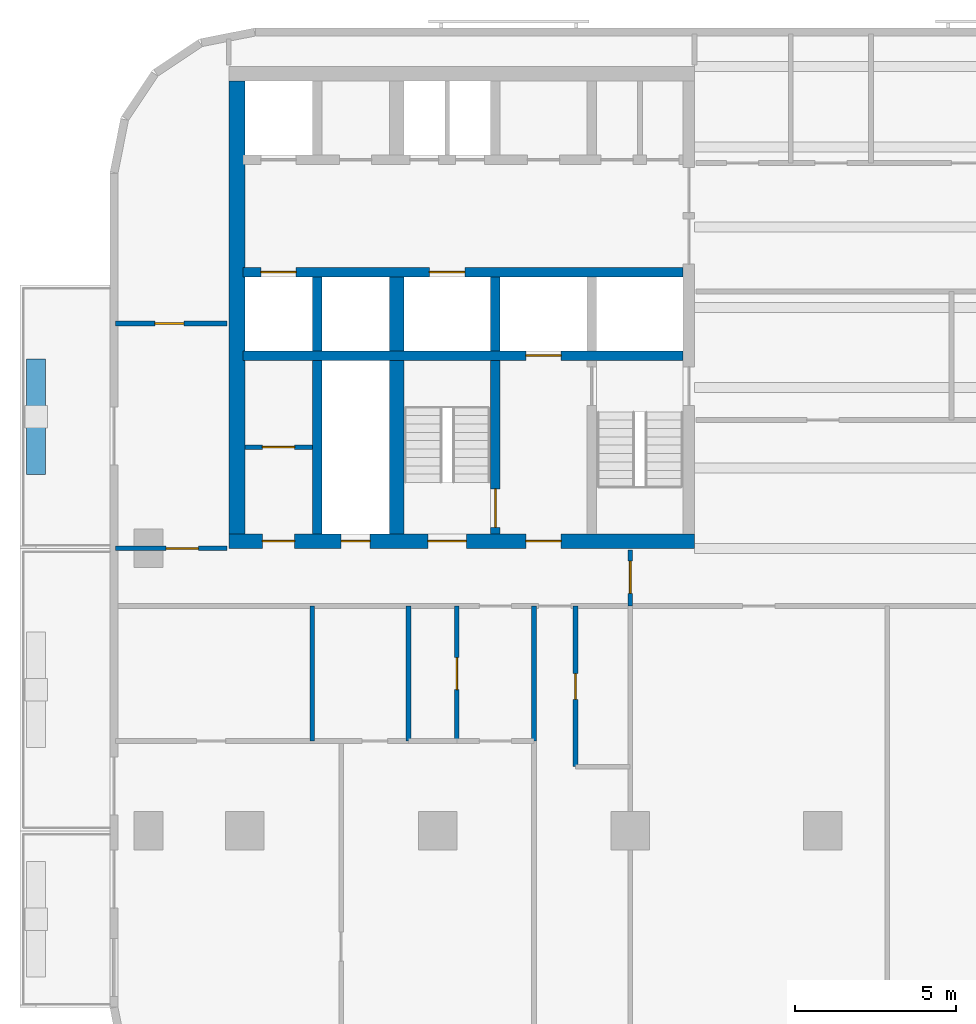
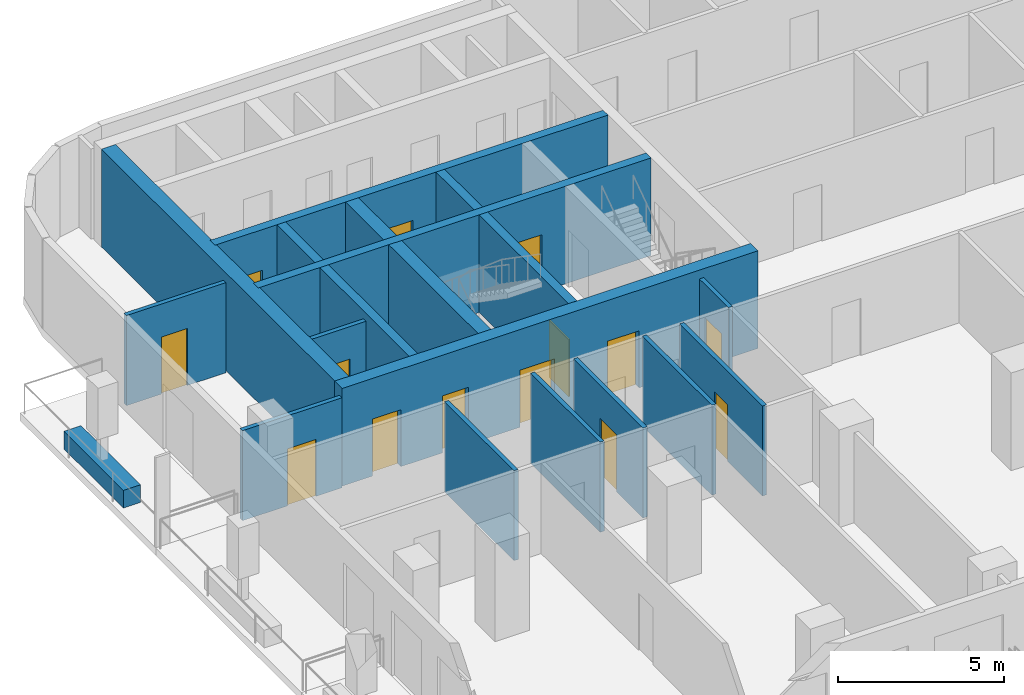
# One storey, part 3 of 11: 20 walls, 14 doors, 14 openings.
"""IFC4 building model written with IfcOpenShell, lengths in metres."""

from ifc_helpers import new_model, si_unit, direction, frame, frame_2d, origin, place, context, subcontext, project, spatial, rectangle, extrude, material, layer, layer_set, type_object, element, fill, save


model = new_model("IFC4")

# Units and contexts
model_context = context("Model", 3, precision=1e-05, world=origin(), true_north=direction((0.0, 1.0)))
body_context = subcontext(model_context, "Body", "Model", "MODEL_VIEW")
ifc_project = project(units=[si_unit("LENGTHUNIT", "METRE"), si_unit("AREAUNIT", "SQUARE_METRE"), si_unit("VOLUMEUNIT", "CUBIC_METRE"), si_unit("PLANEANGLEUNIT", "RADIAN"), si_unit("MASSUNIT", "GRAM", prefix="KILO")], contexts=[model_context])

# Site, building, storey
site_placement = place(None, origin())
site = spatial("IfcSite", under=ifc_project, at=site_placement, CompositionType="ELEMENT")
building_placement = place(site_placement, origin())
building = spatial("IfcBuilding", under=site, at=building_placement, Name="Torana Hotel and Residences", CompositionType="ELEMENT")
storey_placement = place(building_placement, frame((0.0, 0.0, 152.39990234375)))
storey = spatial("IfcBuildingStorey", under=building, at=storey_placement, Name="L39", CompositionType="ELEMENT", Elevation=152.39990234375)

# Wall, openings, doors
ifc_material_1 = material(Name="Concrete C70/85", Category="concrete")
ifc_layer_1 = layer(ifc_material_1, 0.300048828125)
ifc_layer_set_1 = layer_set([ifc_layer_1], Name="CORE WALL 300 C70/85")
wall_type_1 = type_object("IfcWallType", Name="CORE WALL 300 C70/85", PredefinedType="SHEAR", material=ifc_layer_set_1)
wall_1_placement = place(storey_placement, frame((-24.050048828125, -6.39990234375, 0.0), z_axis=(0.0, 0.0, 1.0), x_axis=(1.0, 0.0, 0.0)))
wall_1 = element("IfcWall", 1, at=wall_1_placement, inside=storey, type_object=wall_type_1, Name="Core wall W row-S", PredefinedType="SHEAR", context=body_context, shape_type="SweptSolid", body=[
    extrude(rectangle(XDim=13.699951171875, YDim=0.300048828125, at=frame_2d((6.85009765625, 0.0))), origin(), (0.0, 0.0, 1.0), 3.60009765625),
])
opening_1_placement = place(wall_1_placement, frame((0.550048828125, 0.0, 0.0)))
opening_1 = element("IfcOpeningElement", 2, at=opening_1_placement, cuts=wall_1, Name="Opening LD", PredefinedType="OPENING", context=body_context, shape_type="SweptSolid", body=[
    extrude(rectangle(XDim=1.10009765625, YDim=2.10009765625, at=frame_2d((0.550048828125, 1.050048828125))), frame((0.0, 0.159912109375, 0.0), z_axis=(0.0, -1.0, 0.0), x_axis=(1.0, 0.0, 0.0)), (0.0, 0.0, 1.0), 0.320068359375),
])
opening_2_placement = place(wall_1_placement, frame((5.800048828125, 0.0, 0.0)))
opening_2 = element("IfcOpeningElement", 3, at=opening_2_placement, cuts=wall_1, Name="Opening LD", PredefinedType="OPENING", context=body_context, shape_type="SweptSolid", body=[
    extrude(rectangle(XDim=1.10009765625, YDim=2.10009765625, at=frame_2d((0.550048828125, 1.050048828125))), frame((0.0, 0.159912109375, 0.0), z_axis=(0.0, -1.0, 0.0), x_axis=(1.0, 0.0, 0.0)), (0.0, 0.0, 1.0), 0.320068359375),
])
ifc_material_2 = material(Name="Stainless steel 316", Category="steel")
door_type_1 = type_object("IfcDoorType", Name="LIFT LANDING DOOR LD 1100x2100", OperationType="DOUBLE_DOOR_SLIDING", PredefinedType="USERDEFINED", material=ifc_material_2)
door_1_placement = place(opening_1_placement, origin())
door_1 = element("IfcDoor", 4, at=door_1_placement, inside=storey, type_object=door_type_1, Name="Lift landing door M2 L39", ObjectType="LIFT LANDING DOOR", OperationType="DOUBLE_DOOR_SLIDING", OverallHeight=2.10009765625, OverallWidth=1.10009765625, PredefinedType="USERDEFINED", context=body_context, shape_type="SweptSolid", body=[
    extrude(rectangle(XDim=1.10009765625, YDim=2.10009765625, at=frame_2d((0.550048828125, 1.050048828125))), frame((0.0, 0.02490234375, 0.0), z_axis=(0.0, -1.0, 0.0), x_axis=(1.0, 0.0, 0.0)), (0.0, 0.0, 1.0), 0.050048828125),
])
fill(opening_1, door_1)
door_2_placement = place(opening_2_placement, origin())
door_2 = element("IfcDoor", 5, at=door_2_placement, inside=storey, type_object=door_type_1, Name="Lift landing door SV1 L39", ObjectType="LIFT LANDING DOOR", OperationType="DOUBLE_DOOR_SLIDING", OverallHeight=2.10009765625, OverallWidth=1.10009765625, PredefinedType="USERDEFINED", context=body_context, shape_type="SweptSolid", body=[
    extrude(rectangle(XDim=1.10009765625, YDim=2.10009765625, at=frame_2d((0.550048828125, 1.050048828125))), frame((0.0, 0.02490234375, 0.0), z_axis=(0.0, -1.0, 0.0), x_axis=(1.0, 0.0, 0.0)), (0.0, 0.0, 1.0), 0.050048828125),
])
fill(opening_2, door_2)

# Wall, opening, door
wall_2_placement = place(storey_placement, frame((-24.050048828125, -9.0, 0.0), z_axis=(0.0, 0.0, 1.0), x_axis=(1.0, 0.0, 0.0)))
wall_2 = element("IfcWall", 6, at=wall_2_placement, inside=storey, type_object=wall_type_1, Name="Core wall W band", PredefinedType="SHEAR", context=body_context, shape_type="SweptSolid", body=[
    extrude(rectangle(XDim=13.699951171875, YDim=0.300048828125, at=frame_2d((6.85009765625, 0.0))), origin(), (0.0, 0.0, 1.0), 3.60009765625),
])
opening_3_placement = place(wall_2_placement, frame((8.800048828125, 0.0, 0.0)))
opening_3 = element("IfcOpeningElement", 7, at=opening_3_placement, cuts=wall_2, Name="Opening LD", PredefinedType="OPENING", context=body_context, shape_type="SweptSolid", body=[
    extrude(rectangle(XDim=1.10009765625, YDim=2.10009765625, at=frame_2d((0.550048828125, 1.050048828125))), frame((0.0, 0.159912109375, 0.0), z_axis=(0.0, -1.0, 0.0), x_axis=(1.0, 0.0, 0.0)), (0.0, 0.0, 1.0), 0.320068359375),
])
door_3_placement = place(opening_3_placement, origin())
door_3 = element("IfcDoor", 8, at=door_3_placement, inside=storey, type_object=door_type_1, Name="Lift landing door FF1 L39", ObjectType="LIFT LANDING DOOR", OperationType="DOUBLE_DOOR_SLIDING", OverallHeight=2.10009765625, OverallWidth=1.10009765625, PredefinedType="USERDEFINED", context=body_context, shape_type="SweptSolid", body=[
    extrude(rectangle(XDim=1.10009765625, YDim=2.10009765625, at=frame_2d((0.550048828125, 1.050048828125))), frame((0.0, 0.02490234375, 0.0), z_axis=(0.0, -1.0, 0.0), x_axis=(1.0, 0.0, 0.0)), (0.0, 0.0, 1.0), 0.050048828125),
])
fill(opening_3, door_3)

# Wall
wall_3_placement = place(storey_placement, frame((-16.199951171875, -8.85009765625, 0.0), z_axis=(0.0, 0.0, 1.0), x_axis=(0.0, 1.0, 0.0)))
element("IfcWall", 9, at=wall_3_placement, inside=storey, type_object=wall_type_1, Name="Core wall W x6.05-S", PredefinedType="SHEAR", context=body_context, shape_type="SweptSolid", body=[
    extrude(rectangle(XDim=2.300048828125, YDim=0.300048828125, at=frame_2d((1.14990234375, 0.0))), origin(), (0.0, 0.0, 1.0), 3.60009765625),
])

# Wall, opening, door
wall_4_placement = place(storey_placement, frame((-16.199951171875, -14.550048828125, 0.0), z_axis=(0.0, 0.0, 1.0), x_axis=(0.0, 1.0, 0.0)))
wall_4 = element("IfcWall", 10, at=wall_4_placement, inside=storey, type_object=wall_type_1, Name="Core wall W x6.05-band", PredefinedType="SHEAR", context=body_context, shape_type="SweptSolid", body=[
    extrude(rectangle(XDim=5.400146484375, YDim=0.300048828125, at=frame_2d((2.7001953125, 0.0))), origin(), (0.0, 0.0, 1.0), 3.60009765625),
])
opening_4_placement = place(wall_4_placement, frame((0.199951171875, 0.0, 0.0)))
opening_4 = element("IfcOpeningElement", 11, at=opening_4_placement, cuts=wall_4, Name="Opening L39-15", PredefinedType="OPENING", context=body_context, shape_type="SweptSolid", body=[
    extrude(rectangle(XDim=1.199951171875, YDim=2.10009765625, at=frame_2d((0.60009765625, 1.050048828125))), frame((0.0, 0.159912109375, 0.0), z_axis=(0.0, -1.0, 0.0), x_axis=(1.0, 0.0, 0.0)), (0.0, 0.0, 1.0), 0.320068359375),
])
ifc_material_3 = material(Name="Steel S235", Category="steel")
door_type_2 = type_object("IfcDoorType", Name="STAIR FIRE DOOR D3 1200x2100", OperationType="SINGLE_SWING_LEFT", PredefinedType="DOOR", material=ifc_material_3)
door_4_placement = place(opening_4_placement, origin())
door_4 = element("IfcDoor", 12, at=door_4_placement, inside=storey, type_object=door_type_2, Name="Stair-B-lobby door L39", OperationType="SINGLE_SWING_RIGHT", OverallHeight=2.10009765625, OverallWidth=1.199951171875, PredefinedType="DOOR", context=body_context, shape_type="SweptSolid", body=[
    extrude(rectangle(XDim=1.199951171875, YDim=2.10009765625, at=frame_2d((0.60009765625, 1.050048828125))), frame((0.0, 0.02490234375, 0.0), z_axis=(0.0, -1.0, 0.0), x_axis=(1.0, 0.0, 0.0)), (0.0, 0.0, 1.0), 0.050048828125),
])
fill(opening_4, door_4)

# Walls
wall_5_placement = place(storey_placement, frame((-21.75, -8.85009765625, 0.0), z_axis=(0.0, 0.0, 1.0), x_axis=(0.0, 1.0, 0.0)))
element("IfcWall", 13, at=wall_5_placement, inside=storey, type_object=wall_type_1, Name="Core wall W mm-S", PredefinedType="SHEAR", context=body_context, shape_type="SweptSolid", body=[
    extrude(rectangle(XDim=2.300048828125, YDim=0.300048828125, at=frame_2d((1.14990234375, 0.0))), origin(), (0.0, 0.0, 1.0), 3.60009765625),
])
wall_6_placement = place(storey_placement, frame((-21.75, -14.550048828125, 0.0), z_axis=(0.0, 0.0, 1.0), x_axis=(0.0, 1.0, 0.0)))
element("IfcWall", 14, at=wall_6_placement, inside=storey, type_object=wall_type_1, Name="Core wall W mm-band", PredefinedType="SHEAR", context=body_context, shape_type="SweptSolid", body=[
    extrude(rectangle(XDim=5.400146484375, YDim=0.300048828125, at=frame_2d((2.7001953125, 0.0))), origin(), (0.0, 0.0, 1.0), 3.60009765625),
])

# Wall, openings, doors
ifc_material_4 = material(Name="Concrete C70/85", Category="concrete")
ifc_layer_2 = layer(ifc_material_4, 0.449951171875)
ifc_layer_set_2 = layer_set([ifc_layer_2], Name="CORE WALL 450 C70/85")
wall_type_2 = type_object("IfcWallType", Name="CORE WALL 450 C70/85", PredefinedType="SHEAR", material=ifc_layer_set_2)
wall_7_placement = place(storey_placement, frame((-24.5, -14.77490234375, 0.0), z_axis=(0.0, 0.0, 1.0), x_axis=(1.0, 0.0, 0.0)))
wall_7 = element("IfcWall", 15, at=wall_7_placement, inside=storey, type_object=wall_type_2, Name="Core wall W front", PredefinedType="SHEAR", context=body_context, shape_type="SweptSolid", body=[
    extrude(rectangle(XDim=14.5, YDim=0.449951171875, at=frame_2d((7.25, 0.0))), origin(), (0.0, 0.0, 1.0), 3.60009765625),
])
opening_5_placement = place(wall_7_placement, frame((6.199951171875, 0.0, 0.0)))
opening_5 = element("IfcOpeningElement", 16, at=opening_5_placement, cuts=wall_7, Name="Opening L39-04", PredefinedType="OPENING", context=body_context, shape_type="SweptSolid", body=[
    extrude(rectangle(XDim=1.199951171875, YDim=2.10009765625, at=frame_2d((0.60009765625, 1.050048828125))), frame((0.0, 0.23486328125, 0.0), z_axis=(0.0, -1.0, 0.0), x_axis=(1.0, 0.0, 0.0)), (0.0, 0.0, 1.0), 0.469970703125),
])
opening_6_placement = place(wall_7_placement, frame((9.25, 0.0, 0.0)))
opening_6 = element("IfcOpeningElement", 17, at=opening_6_placement, cuts=wall_7, Name="Opening L39-05", PredefinedType="OPENING", context=body_context, shape_type="SweptSolid", body=[
    extrude(rectangle(XDim=1.10009765625, YDim=2.10009765625, at=frame_2d((0.550048828125, 1.050048828125))), frame((0.0, 0.23486328125, 0.0), z_axis=(0.0, -1.0, 0.0), x_axis=(1.0, 0.0, 0.0)), (0.0, 0.0, 1.0), 0.469970703125),
])
opening_7_placement = place(wall_7_placement, frame((3.5, 0.0, 0.0)))
opening_7 = element("IfcOpeningElement", 18, at=opening_7_placement, cuts=wall_7, Name="Opening L39-06", PredefinedType="OPENING", context=body_context, shape_type="SweptSolid", body=[
    extrude(rectangle(XDim=0.89990234375, YDim=2.10009765625, at=frame_2d((0.449951171875, 1.050048828125))), frame((0.0, 0.23486328125, 0.0), z_axis=(0.0, -1.0, 0.0), x_axis=(1.0, 0.0, 0.0)), (0.0, 0.0, 1.0), 0.469970703125),
])
opening_8_placement = place(wall_7_placement, frame((1.050048828125, 0.0, 0.0)))
opening_8 = element("IfcOpeningElement", 19, at=opening_8_placement, cuts=wall_7, Name="Opening L39-07", PredefinedType="OPENING", context=body_context, shape_type="SweptSolid", body=[
    extrude(rectangle(XDim=1.0, YDim=2.10009765625, at=frame_2d((0.5, 1.050048828125))), frame((0.0, 0.23486328125, 0.0), z_axis=(0.0, -1.0, 0.0), x_axis=(1.0, 0.0, 0.0)), (0.0, 0.0, 1.0), 0.469970703125),
])
ifc_material_5 = material(Name="Steel S235", Category="steel")
door_type_3 = type_object("IfcDoorType", Name="CORE ROOM FIRE DOOR D14 1000x2100", OperationType="SINGLE_SWING_LEFT", PredefinedType="DOOR", material=ifc_material_5)
door_5_placement = place(opening_8_placement, origin())
door_5 = element("IfcDoor", 20, at=door_5_placement, inside=storey, type_object=door_type_3, Name="M-Room-B door L39", OperationType="SINGLE_SWING_RIGHT", OverallHeight=2.10009765625, OverallWidth=1.0, PredefinedType="DOOR", context=body_context, shape_type="SweptSolid", body=[
    extrude(rectangle(XDim=1.0, YDim=2.10009765625, at=frame_2d((0.5, 1.050048828125))), frame((0.0, 0.02490234375, 0.0), z_axis=(0.0, -1.0, 0.0), x_axis=(1.0, 0.0, 0.0)), (0.0, 0.0, 1.0), 0.050048828125),
])
fill(opening_8, door_5)
ifc_material_6 = material(Name="Steel S235", Category="steel")
door_type_4 = type_object("IfcDoorType", Name="FIRE-FIGHTING LOBBY DOOR D8 1100x2100", OperationType="SINGLE_SWING_LEFT", PredefinedType="DOOR", material=ifc_material_6)
door_6_placement = place(opening_6_placement, origin())
door_6 = element("IfcDoor", 21, at=door_6_placement, inside=storey, type_object=door_type_4, Name="FF-lobby door L39", OperationType="SINGLE_SWING_RIGHT", OverallHeight=2.10009765625, OverallWidth=1.10009765625, PredefinedType="DOOR", context=body_context, shape_type="SweptSolid", body=[
    extrude(rectangle(XDim=1.10009765625, YDim=2.10009765625, at=frame_2d((0.550048828125, 1.050048828125))), frame((0.0, 0.02490234375, 0.0), z_axis=(0.0, -1.0, 0.0), x_axis=(1.0, 0.0, 0.0)), (0.0, 0.0, 1.0), 0.050048828125),
])
fill(opening_6, door_6)
ifc_material_7 = material(Name="Steel S235", Category="steel")
door_type_5 = type_object("IfcDoorType", Name="RISER ACCESS DOOR D5 900x2100", OperationType="SINGLE_SWING_LEFT", PredefinedType="DOOR", material=ifc_material_7)
door_7_placement = place(opening_7_placement, origin())
door_7 = element("IfcDoor", 22, at=door_7_placement, inside=storey, type_object=door_type_5, Name="M-Riser door L39", OperationType="SINGLE_SWING_RIGHT", OverallHeight=2.10009765625, OverallWidth=0.89990234375, PredefinedType="DOOR", context=body_context, shape_type="SweptSolid", body=[
    extrude(rectangle(XDim=0.89990234375, YDim=2.10009765625, at=frame_2d((0.449951171875, 1.050048828125))), frame((0.0, 0.02490234375, 0.0), z_axis=(0.0, -1.0, 0.0), x_axis=(1.0, 0.0, 0.0)), (0.0, 0.0, 1.0), 0.050048828125),
])
fill(opening_7, door_7)
door_8_placement = place(opening_5_placement, origin())
door_8 = element("IfcDoor", 23, at=door_8_placement, inside=storey, type_object=door_type_2, Name="Stair-B door L39", OperationType="SINGLE_SWING_RIGHT", OverallHeight=2.10009765625, OverallWidth=1.199951171875, PredefinedType="DOOR", context=body_context, shape_type="SweptSolid", body=[
    extrude(rectangle(XDim=1.199951171875, YDim=2.10009765625, at=frame_2d((0.60009765625, 1.050048828125))), frame((0.0, 0.02490234375, 0.0), z_axis=(0.0, -1.0, 0.0), x_axis=(1.0, 0.0, 0.0)), (0.0, 0.0, 1.0), 0.050048828125),
])
fill(opening_5, door_8)

# Walls
wall_8_placement = place(storey_placement, frame((-19.27490234375, -8.85009765625, 0.0), z_axis=(0.0, 0.0, 1.0), x_axis=(0.0, 1.0, 0.0)))
element("IfcWall", 24, at=wall_8_placement, inside=storey, type_object=wall_type_2, Name="Core wall W hm-S", PredefinedType="SHEAR", context=body_context, shape_type="SweptSolid", body=[
    extrude(rectangle(XDim=2.300048828125, YDim=0.449951171875, at=frame_2d((1.14990234375, 0.0))), origin(), (0.0, 0.0, 1.0), 3.60009765625),
])
wall_9_placement = place(storey_placement, frame((-19.27490234375, -14.550048828125, 0.0), z_axis=(0.0, 0.0, 1.0), x_axis=(0.0, 1.0, 0.0)))
element("IfcWall", 25, at=wall_9_placement, inside=storey, type_object=wall_type_2, Name="Core wall W hm-band", PredefinedType="SHEAR", context=body_context, shape_type="SweptSolid", body=[
    extrude(rectangle(XDim=5.400146484375, YDim=0.449951171875, at=frame_2d((2.7001953125, 0.0))), origin(), (0.0, 0.0, 1.0), 3.60009765625),
])
ifc_material_8 = material(Name="Concrete C70/85", Category="concrete")
ifc_layer_3 = layer(ifc_material_8, 0.5)
ifc_layer_set_3 = layer_set([ifc_layer_3], Name="CORE WALL 500 C70/85")
wall_type_3 = type_object("IfcWallType", Name="CORE WALL 500 C70/85", PredefinedType="SHEAR", material=ifc_layer_set_3)
wall_10_placement = place(storey_placement, frame((-24.25, -14.550048828125, 0.0), z_axis=(0.0, 0.0, 1.0), x_axis=(0.0, 1.0, 0.0)))
element("IfcWall", 26, at=wall_10_placement, inside=storey, type_object=wall_type_3, Name="Core wall W outer", PredefinedType="SHEAR", context=body_context, shape_type="SweptSolid", body=[
    extrude(rectangle(XDim=14.10009765625, YDim=0.5, at=frame_2d((7.050048828125, 0.0))), origin(), (0.0, 0.0, 1.0), 3.60009765625),
])

# Wall, opening, door
ifc_material_9 = material(Name="Gypsum plaster")
ifc_layer_4 = layer(ifc_material_9, 0.014892578125, Name="Plaster", Category="finish")
ifc_material_10 = material(Name="Concrete blockwork", Category="masonry")
ifc_layer_5 = layer(ifc_material_10, 0.1201171875, Name="Blockwork", Category="structure")
ifc_layer_6 = layer(ifc_material_9, 0.014892578125, Name="Plaster", Category="finish")
ifc_layer_set_4 = layer_set([ifc_layer_4, ifc_layer_5, ifc_layer_6], Name="FIRE PARTITION 150 BLOCKWORK")
wall_type_4 = type_object("IfcWallType", Name="FIRE PARTITION 150 BLOCKWORK", PredefinedType="PARTITIONING", material=ifc_layer_set_4)
wall_11_placement = place(storey_placement, frame((-24.0, -11.85009765625, 0.0), z_axis=(0.0, 0.0, 1.0), x_axis=(1.0, 0.0, 0.0)))
wall_11 = element("IfcWall", 27, at=wall_11_placement, inside=storey, type_object=wall_type_4, Name="Core partition L39", PredefinedType="PARTITIONING", context=body_context, shape_type="SweptSolid", body=[
    extrude(rectangle(XDim=2.10009765625, YDim=0.14990234375, at=frame_2d((1.050048828125, 0.0))), origin(), (0.0, 0.0, 1.0), 3.300048828125),
])
opening_9_placement = place(wall_11_placement, frame((0.550048828125, 0.0, 0.0)))
opening_9 = element("IfcOpeningElement", 28, at=opening_9_placement, cuts=wall_11, Name="Opening L39-31", PredefinedType="OPENING", context=body_context, shape_type="SweptSolid", body=[
    extrude(rectangle(XDim=1.0, YDim=2.10009765625, at=frame_2d((0.5, 1.050048828125))), frame((0.0, 0.0849609375, 0.0), z_axis=(0.0, -1.0, 0.0), x_axis=(1.0, 0.0, 0.0)), (0.0, 0.0, 1.0), 0.169921875),
])
door_9_placement = place(opening_9_placement, origin())
door_9 = element("IfcDoor", 29, at=door_9_placement, inside=storey, type_object=door_type_3, Name="Plant room door L39", OperationType="SINGLE_SWING_RIGHT", OverallHeight=2.10009765625, OverallWidth=1.0, PredefinedType="DOOR", context=body_context, shape_type="SweptSolid", body=[
    extrude(rectangle(XDim=1.0, YDim=2.10009765625, at=frame_2d((0.5, 1.050048828125))), frame((0.0, 0.02490234375, 0.0), z_axis=(0.0, -1.0, 0.0), x_axis=(1.0, 0.0, 0.0)), (0.0, 0.0, 1.0), 0.050048828125),
])
fill(opening_9, door_9)

wall_12_placement = place(storey_placement, frame((-12.0, -16.800048828125, 0.0), z_axis=(0.0, 0.0, 1.0), x_axis=(0.0, 1.0, 0.0)))
wall_12 = element("IfcWall", 30, at=wall_12_placement, inside=storey, type_object=wall_type_4, Name="Partition L39", PredefinedType="PARTITIONING", context=body_context, shape_type="SweptSolid", body=[
    extrude(rectangle(XDim=1.75, YDim=0.14990234375, at=frame_2d((0.875, 0.0))), origin(), (0.0, 0.0, 1.0), 3.320068359375),
])
opening_10_placement = place(wall_12_placement, frame((0.39990234375, 0.0, 0.0)))
opening_10 = element("IfcOpeningElement", 31, at=opening_10_placement, cuts=wall_12, Name="Opening L39-33", PredefinedType="OPENING", context=body_context, shape_type="SweptSolid", body=[
    extrude(rectangle(XDim=1.0, YDim=2.10009765625, at=frame_2d((0.5, 1.050048828125))), frame((0.0, 0.0849609375, 0.0), z_axis=(0.0, -1.0, 0.0), x_axis=(1.0, 0.0, 0.0)), (0.0, 0.0, 1.0), 0.169921875),
])
ifc_material_11 = material(Name="Steel S235", Category="steel")
door_type_6 = type_object("IfcDoorType", Name="ENTRY FIRE DOOR D6 1000x2100", OperationType="SINGLE_SWING_LEFT", PredefinedType="DOOR", material=ifc_material_11)
door_10_placement = place(opening_10_placement, origin())
door_10 = element("IfcDoor", 32, at=door_10_placement, inside=storey, type_object=door_type_6, Name="Door L39", OperationType="SINGLE_SWING_RIGHT", OverallHeight=2.10009765625, OverallWidth=1.0, PredefinedType="DOOR", context=body_context, shape_type="SweptSolid", body=[
    extrude(rectangle(XDim=1.0, YDim=2.10009765625, at=frame_2d((0.5, 1.050048828125))), frame((0.0, 0.02490234375, 0.0), z_axis=(0.0, -1.0, 0.0), x_axis=(1.0, 0.0, 0.0)), (0.0, 0.0, 1.0), 0.050048828125),
])
fill(opening_10, door_10)

# Wall
wall_13_placement = place(storey_placement, frame((-15.0, -21.0, 0.0), z_axis=(0.0, 0.0, 1.0), x_axis=(0.0, 1.0, 0.0)))
element("IfcWall", 33, at=wall_13_placement, inside=storey, type_object=wall_type_4, Name="Partition L39", PredefinedType="PARTITIONING", context=body_context, shape_type="SweptSolid", body=[
    extrude(rectangle(XDim=4.199951171875, YDim=0.14990234375, at=frame_2d((2.10009765625, 0.0))), origin(), (0.0, 0.0, 1.0), 3.320068359375),
])

# Wall, opening, door
wall_14_placement = place(storey_placement, frame((-17.39990234375, -21.0, 0.0), z_axis=(0.0, 0.0, 1.0), x_axis=(0.0, 1.0, 0.0)))
wall_14 = element("IfcWall", 34, at=wall_14_placement, inside=storey, type_object=wall_type_4, Name="Partition L39", PredefinedType="PARTITIONING", context=body_context, shape_type="SweptSolid", body=[
    extrude(rectangle(XDim=4.199951171875, YDim=0.14990234375, at=frame_2d((2.10009765625, 0.0))), origin(), (0.0, 0.0, 1.0), 3.320068359375),
])
opening_11_placement = place(wall_14_placement, frame((1.60009765625, 0.0, 0.0)))
opening_11 = element("IfcOpeningElement", 35, at=opening_11_placement, cuts=wall_14, Name="Opening L39-54", PredefinedType="OPENING", context=body_context, shape_type="SweptSolid", body=[
    extrude(rectangle(XDim=1.0, YDim=2.10009765625, at=frame_2d((0.5, 1.050048828125))), frame((0.0, 0.0849609375, 0.0), z_axis=(0.0, -1.0, 0.0), x_axis=(1.0, 0.0, 0.0)), (0.0, 0.0, 1.0), 0.169921875),
])
door_11_placement = place(opening_11_placement, origin())
door_11 = element("IfcDoor", 36, at=door_11_placement, inside=storey, type_object=door_type_6, Name="Door L39", OperationType="SINGLE_SWING_RIGHT", OverallHeight=2.10009765625, OverallWidth=1.0, PredefinedType="DOOR", context=body_context, shape_type="SweptSolid", body=[
    extrude(rectangle(XDim=1.0, YDim=2.10009765625, at=frame_2d((0.5, 1.050048828125))), frame((0.0, 0.02490234375, 0.0), z_axis=(0.0, -1.0, 0.0), x_axis=(1.0, 0.0, 0.0)), (0.0, 0.0, 1.0), 0.050048828125),
])
fill(opening_11, door_11)

wall_15_placement = place(storey_placement, frame((-28.02001953125, -15.0, 0.0), z_axis=(0.0, 0.0, 1.0), x_axis=(1.0, 0.0, 0.0)))
wall_15 = element("IfcWall", 37, at=wall_15_placement, inside=storey, type_object=wall_type_4, Name="Partition L39", PredefinedType="PARTITIONING", context=body_context, shape_type="SweptSolid", body=[
    extrude(rectangle(XDim=3.469970703125, YDim=0.14990234375, at=frame_2d((1.73486328125, 0.0))), origin(), (0.0, 0.0, 1.0), 3.320068359375),
])
opening_12_placement = place(wall_15_placement, frame((1.570068359375, 0.0, 0.0)))
opening_12 = element("IfcOpeningElement", 38, at=opening_12_placement, cuts=wall_15, Name="Opening L39-36", PredefinedType="OPENING", context=body_context, shape_type="SweptSolid", body=[
    extrude(rectangle(XDim=1.0, YDim=2.10009765625, at=frame_2d((0.5, 1.050048828125))), frame((0.0, 0.0849609375, 0.0), z_axis=(0.0, -1.0, 0.0), x_axis=(1.0, 0.0, 0.0)), (0.0, 0.0, 1.0), 0.169921875),
])
door_12_placement = place(opening_12_placement, origin())
door_12 = element("IfcDoor", 39, at=door_12_placement, inside=storey, type_object=door_type_3, Name="Door L39", OperationType="SINGLE_SWING_RIGHT", OverallHeight=2.10009765625, OverallWidth=1.0, PredefinedType="DOOR", context=body_context, shape_type="SweptSolid", body=[
    extrude(rectangle(XDim=1.0, YDim=2.10009765625, at=frame_2d((0.5, 1.050048828125))), frame((0.0, 0.02490234375, 0.0), z_axis=(0.0, -1.0, 0.0), x_axis=(1.0, 0.0, 0.0)), (0.0, 0.0, 1.0), 0.050048828125),
])
fill(opening_12, door_12)

ifc_material_12 = material(Name="Gypsum plasterboard")
ifc_layer_7 = layer(ifc_material_12, 0.012451171875, Name="Plasterboard", Category="finish")
ifc_layer_8 = layer(ifc_material_12, 0.012451171875, Name="Plasterboard", Category="finish")
ifc_material_13 = material(Name="Steel S280GD", Category="steel")
ifc_layer_9 = layer(ifc_material_13, 0.10009765625, Name="Steel studs with mineral wool", Category="insulation")
ifc_layer_10 = layer(ifc_material_12, 0.012451171875, Name="Plasterboard", Category="finish")
ifc_layer_11 = layer(ifc_material_12, 0.012451171875, Name="Plasterboard", Category="finish")
ifc_layer_set_5 = layer_set([ifc_layer_7, ifc_layer_8, ifc_layer_9, ifc_layer_10, ifc_layer_11], Name="PARTITION 150 PLASTERBOARD")
wall_type_5 = type_object("IfcWallType", Name="PARTITION 150 PLASTERBOARD", PredefinedType="PARTITIONING", material=ifc_layer_set_5)
wall_16_placement = place(storey_placement, frame((-13.699951171875, -21.800048828125, 0.0), z_axis=(0.0, 0.0, 1.0), x_axis=(0.0, 1.0, 0.0)))
wall_16 = element("IfcWall", 40, at=wall_16_placement, inside=storey, type_object=wall_type_5, Name="Partition L39", PredefinedType="PARTITIONING", context=body_context, shape_type="SweptSolid", body=[
    extrude(rectangle(XDim=5.0, YDim=0.14990234375, at=frame_2d((2.5, 0.0))), origin(), (0.0, 0.0, 1.0), 3.320068359375),
])
opening_13_placement = place(wall_16_placement, frame((2.10009765625, 0.0, 0.0)))
opening_13 = element("IfcOpeningElement", 41, at=opening_13_placement, cuts=wall_16, Name="Opening L39-52", PredefinedType="OPENING", context=body_context, shape_type="SweptSolid", body=[
    extrude(rectangle(XDim=0.800048828125, YDim=2.10009765625, at=frame_2d((0.39990234375, 1.050048828125))), frame((0.0, 0.0849609375, 0.0), z_axis=(0.0, -1.0, 0.0), x_axis=(1.0, 0.0, 0.0)), (0.0, 0.0, 1.0), 0.169921875),
])
ifc_material_14 = material(Name="Timber door, painted", Category="wood")
door_type_7 = type_object("IfcDoorType", Name="BATH DOOR D13 800x2100", OperationType="SINGLE_SWING_LEFT", PredefinedType="DOOR", material=ifc_material_14)
door_13_placement = place(opening_13_placement, origin())
door_13 = element("IfcDoor", 42, at=door_13_placement, inside=storey, type_object=door_type_7, Name="Door L39", OperationType="SINGLE_SWING_RIGHT", OverallHeight=2.10009765625, OverallWidth=0.800048828125, PredefinedType="DOOR", context=body_context, shape_type="SweptSolid", body=[
    extrude(rectangle(XDim=0.800048828125, YDim=2.10009765625, at=frame_2d((0.39990234375, 1.050048828125))), frame((0.0, 0.02490234375, 0.0), z_axis=(0.0, -1.0, 0.0), x_axis=(1.0, 0.0, 0.0)), (0.0, 0.0, 1.0), 0.050048828125),
])
fill(opening_13, door_13)

# Wall
wall_17_placement = place(storey_placement, frame((-21.89990234375, -21.0, 0.0), z_axis=(0.0, 0.0, 1.0), x_axis=(0.0, 1.0, 0.0)))
element("IfcWall", 43, at=wall_17_placement, inside=storey, type_object=wall_type_5, Name="Partition L39", PredefinedType="PARTITIONING", context=body_context, shape_type="SweptSolid", body=[
    extrude(rectangle(XDim=4.199951171875, YDim=0.14990234375, at=frame_2d((2.10009765625, 0.0))), origin(), (0.0, 0.0, 1.0), 3.320068359375),
])

# Wall, opening, door
wall_18_placement = place(storey_placement, frame((-28.02001953125, -8.0, 0.0), z_axis=(0.0, 0.0, 1.0), x_axis=(1.0, 0.0, 0.0)))
wall_18 = element("IfcWall", 44, at=wall_18_placement, inside=storey, type_object=wall_type_5, Name="Partition L39", PredefinedType="PARTITIONING", context=body_context, shape_type="SweptSolid", body=[
    extrude(rectangle(XDim=3.469970703125, YDim=0.14990234375, at=frame_2d((1.73486328125, 0.0))), origin(), (0.0, 0.0, 1.0), 3.320068359375),
])
opening_14_placement = place(wall_18_placement, frame((1.219970703125, 0.0, 0.0)))
opening_14 = element("IfcOpeningElement", 45, at=opening_14_placement, cuts=wall_18, Name="Opening L39-64", PredefinedType="OPENING", context=body_context, shape_type="SweptSolid", body=[
    extrude(rectangle(XDim=0.89990234375, YDim=2.10009765625, at=frame_2d((0.449951171875, 1.050048828125))), frame((0.0, 0.0849609375, 0.0), z_axis=(0.0, -1.0, 0.0), x_axis=(1.0, 0.0, 0.0)), (0.0, 0.0, 1.0), 0.169921875),
])
ifc_material_15 = material(Name="Timber door, oiled ash", Category="wood")
door_type_8 = type_object("IfcDoorType", Name="ROOM DOOR D7 900x2100", OperationType="SINGLE_SWING_LEFT", PredefinedType="DOOR", material=ifc_material_15)
door_14_placement = place(opening_14_placement, origin())
door_14 = element("IfcDoor", 46, at=door_14_placement, inside=storey, type_object=door_type_8, Name="Door L39", OperationType="SINGLE_SWING_RIGHT", OverallHeight=2.10009765625, OverallWidth=0.89990234375, PredefinedType="DOOR", context=body_context, shape_type="SweptSolid", body=[
    extrude(rectangle(XDim=0.89990234375, YDim=2.10009765625, at=frame_2d((0.449951171875, 1.050048828125))), frame((0.0, 0.02490234375, 0.0), z_axis=(0.0, -1.0, 0.0), x_axis=(1.0, 0.0, 0.0)), (0.0, 0.0, 1.0), 0.050048828125),
])
fill(opening_14, door_14)

# Walls
ifc_material_16 = material(Name="Concrete C40/50 precast", Category="concrete")
ifc_layer_12 = layer(ifc_material_16, 0.10009765625, Name="Planter shell", Category="structure")
ifc_material_17 = material(Name="Root resistant membrane")
ifc_layer_13 = layer(ifc_material_17, 0.00390625, Name="Waterproofing membrane", Category="membrane")
ifc_material_18 = material(Name="Drainage board with filter fleece")
ifc_layer_14 = layer(ifc_material_18, 0.02001953125, Name="Drainage board", Category="drainage")
ifc_material_19 = material(Name="Growing medium")
ifc_layer_15 = layer(ifc_material_19, 0.47607421875, Name="Planting substrate", Category="soil")
ifc_layer_set_6 = layer_set([ifc_layer_12, ifc_layer_13, ifc_layer_14, ifc_layer_15], Name="PL1 BALCONY PLANTER 600")
wall_type_6 = type_object("IfcWallType", Name="PL1 BALCONY PLANTER 600", PredefinedType="USERDEFINED", material=ifc_layer_set_6)
wall_19_placement = place(storey_placement, frame((-30.5, -12.699951171875, 0.0), z_axis=(0.0, 0.0, 1.0), x_axis=(0.0, 1.0, 0.0)))
element("IfcWall", 47, at=wall_19_placement, inside=storey, type_object=wall_type_6, Name="Planter 11", ObjectType="PLANTER", PredefinedType="USERDEFINED", context=body_context, shape_type="SweptSolid", body=[
    extrude(rectangle(XDim=3.599853515625, YDim=0.60009765625, at=frame_2d((1.7998046875, 0.0))), origin(), (0.0, 0.0, 1.0), 0.650146484375),
])
ifc_material_20 = material(Name="Ceramic tile on adhesive")
ifc_layer_16 = layer(ifc_material_20, 0.010009765625, Name="Wall tile", Category="finish")
ifc_material_21 = material(Name="Cement render")
ifc_layer_17 = layer(ifc_material_21, 0.010009765625, Name="Render", Category="finish")
ifc_layer_18 = layer(ifc_material_10, 0.110107421875, Name="Blockwork", Category="structure")
ifc_layer_19 = layer(ifc_material_21, 0.010009765625, Name="Render", Category="finish")
ifc_layer_20 = layer(ifc_material_20, 0.010009765625, Name="Wall tile", Category="finish")
ifc_layer_set_7 = layer_set([ifc_layer_16, ifc_layer_17, ifc_layer_18, ifc_layer_19, ifc_layer_20], Name="WC PARTITION 150")
wall_type_7 = type_object("IfcWallType", Name="WC PARTITION 150", PredefinedType="PLUMBINGWALL", material=ifc_layer_set_7)
wall_20_placement = place(storey_placement, frame((-18.89990234375, -21.0, 0.0), z_axis=(0.0, 0.0, 1.0), x_axis=(0.0, 1.0, 0.0)))
element("IfcWall", 48, at=wall_20_placement, inside=storey, type_object=wall_type_7, Name="Partition L39", PredefinedType="PLUMBINGWALL", context=body_context, shape_type="SweptSolid", body=[
    extrude(rectangle(XDim=4.199951171875, YDim=0.14990234375, at=frame_2d((2.10009765625, 0.0))), origin(), (0.0, 0.0, 1.0), 3.320068359375),
])

save(model, "model.ifc")
